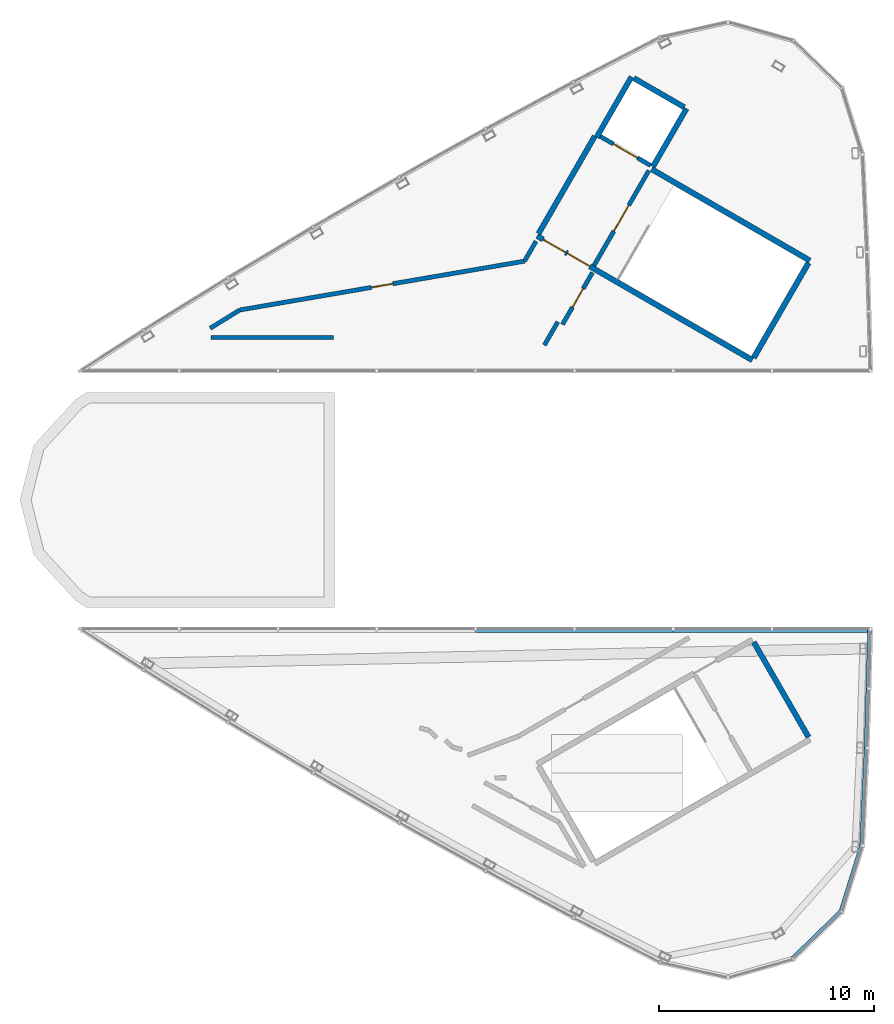
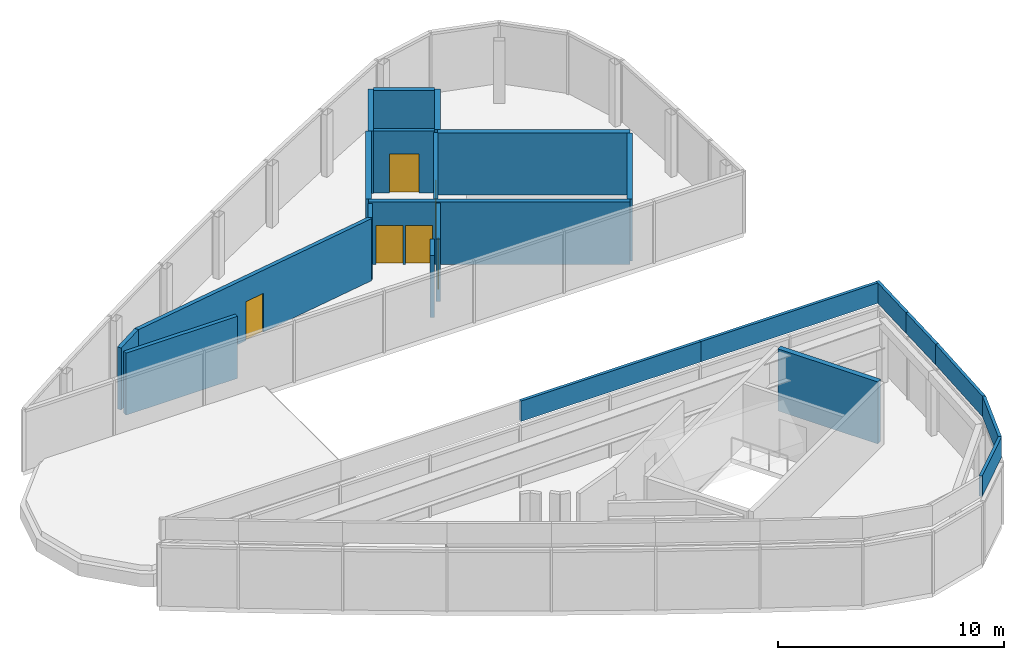
# One storey, part 6 of 7: 23 walls, 6 doors, 6 openings.
"""IFC4 building model written with IfcOpenShell, lengths in metres."""

import ifcopenshell
import ifcopenshell.guid

model = None  # the IFC model being written
_history = None  # IfcOwnerHistory: only IFC2X3 demands one
_inside = {}  # id of a spatial element -> (the spatial element, [elements in it])
_under = {}  # id of a project, library or spatial element -> (it, [spatial elements below it])
_declared = {}  # id of a project -> (the project, [libraries it declares])
_typed = {}  # id of a type object -> (the type object, [elements of that type])
_made_of = {}  # id of a material, layer set ... -> (it, [elements and type objects made of it])


def new_model(schema):
    """Start an empty IFC model of exactly this schema.

    Asked for "IFC4X3", IfcOpenShell would pick the latest addendum, in which some entities
    have other attributes; the version numbers below select the first issue.
    IFC2X3 requires an IfcOwnerHistory on every rooted entity: one is made here for all.
    """
    global model, _history
    if schema == "IFC4X3":
        model = ifcopenshell.file(schema_version=(4, 3, 0, 0))
    else:
        model = ifcopenshell.file(schema=schema)
    _inside.clear()
    _under.clear()
    _declared.clear()
    _typed.clear()
    _made_of.clear()
    _history = None
    if model.schema == "IFC2X3":
        org = make("IfcOrganization", Name="unknown")
        user = make(
            "IfcPersonAndOrganization",
            ThePerson=make("IfcPerson", FamilyName="unknown"),
            TheOrganization=org,
        )
        app = make(
            "IfcApplication",
            ApplicationDeveloper=org,
            Version="unknown",
            ApplicationFullName="unknown",
            ApplicationIdentifier="unknown",
        )
        _history = make(
            "IfcOwnerHistory",
            OwningUser=user,
            OwningApplication=app,
            ChangeAction="ADDED",
            CreationDate=0,
        )
    return model


def make(cls, **values):
    """One entity of the class cls with the attributes given. An attribute that is None is left unset."""
    return model.create_entity(
        cls, **{name: value for name, value in values.items() if value is not None}
    )


def rooted(cls, **values):
    """An entity with a GlobalId (a new one), such as an element, a storey or a relation."""
    return make(cls, GlobalId=ifcopenshell.guid.new(), OwnerHistory=_history, **values)


def si_unit(unit_type, name, prefix=None):
    """IfcSIUnit, for example si_unit("LENGTHUNIT", "METRE", prefix="MILLI")."""
    return make("IfcSIUnit", UnitType=unit_type, Prefix=prefix, Name=name)


def assignment(units):
    """IfcUnitAssignment: the units of a project."""
    return None if units is None else make("IfcUnitAssignment", Units=units)


def point(xyz):
    """IfcCartesianPoint."""
    return None if xyz is None else make("IfcCartesianPoint", Coordinates=xyz)


def direction(xyz):
    """IfcDirection."""
    return None if xyz is None else make("IfcDirection", DirectionRatios=xyz)


def frame(location, z_axis=None, x_axis=None):
    """IfcAxis2Placement3D, a coordinate frame: its origin and axes. An axis left out is left unset."""
    return make(
        "IfcAxis2Placement3D",
        Location=point(location),
        Axis=direction(z_axis),
        RefDirection=direction(x_axis),
    )


def frame_2d(location, x_axis=None):
    """IfcAxis2Placement2D, a coordinate frame in the plane: its origin and x axis."""
    return make(
        "IfcAxis2Placement2D", Location=point(location), RefDirection=direction(x_axis)
    )


def origin():
    """The frame at (0, 0, 0) with its axes left unset."""
    return frame((0.0, 0.0, 0.0))


def place(relative_to, where):
    """IfcLocalPlacement: puts the frame where relative to a parent placement (None: the world)."""
    return make(
        "IfcLocalPlacement", PlacementRelTo=relative_to, RelativePlacement=where
    )


def context(
    kind, dimensions, precision=None, world=None, true_north=None, identifier=None
):
    """IfcGeometricRepresentationContext, for example the 3D "Model" context."""
    return make(
        "IfcGeometricRepresentationContext",
        ContextIdentifier=identifier,
        ContextType=kind,
        CoordinateSpaceDimension=dimensions,
        Precision=precision,
        WorldCoordinateSystem=world,
        TrueNorth=true_north,
    )


def subcontext(parent, identifier, kind, view, scale=None):
    """IfcGeometricRepresentationSubContext, for example "Body" below "Model"."""
    return make(
        "IfcGeometricRepresentationSubContext",
        ContextIdentifier=identifier,
        ContextType=kind,
        ParentContext=parent,
        TargetScale=scale,
        TargetView=view,
    )


def project(units=None, contexts=None):
    """IfcProject with its units and contexts."""
    return rooted(
        "IfcProject",
        Name="project",
        RepresentationContexts=contexts,
        UnitsInContext=assignment(units),
    )


def spatial(cls, under=None, at=None, **own):
    """A site, building, storey or space (cls), placed at a placement, below another one or the project."""
    s = rooted(cls, ObjectPlacement=at, **own)
    if under is not None:
        _under.setdefault(under.id(), (under, []))[1].append(s)
    return s


def profile(cls, at=None, kind="AREA", **sizes):
    """A parametric profile (cls). Its sizes go by their IFC names, for example OverallWidth=200.0."""
    return make(cls, ProfileType=kind, Position=at, **sizes)


def rectangle(**sizes):
    """IfcRectangleProfileDef."""
    return profile("IfcRectangleProfileDef", **sizes)


def extrude(swept, where, along, depth):
    """IfcExtrudedAreaSolid: the profile swept, set in the frame where, extruded along a direction by depth."""
    return make(
        "IfcExtrudedAreaSolid",
        SweptArea=swept,
        Position=where,
        ExtrudedDirection=direction(along),
        Depth=depth,
    )


def shape(context_of_items, identifier, shape_type, items):
    """IfcShapeRepresentation: the items that make up one representation, for example the "Body"."""
    return make(
        "IfcShapeRepresentation",
        ContextOfItems=context_of_items,
        RepresentationIdentifier=identifier,
        RepresentationType=shape_type,
        Items=items,
    )


def material(Name=None, Category=None):
    """IfcMaterial."""
    return make("IfcMaterial", Name=Name, Category=Category)


def layer(
    of_material, thickness, ventilated=None, Name=None, Category=None, Priority=None
):
    """IfcMaterialLayer: one layer of a wall or slab, of a material (None: an air gap)."""
    return make(
        "IfcMaterialLayer",
        Material=of_material,
        LayerThickness=thickness,
        IsVentilated=ventilated,
        Name=Name,
        Category=Category,
        Priority=Priority,
    )


def layer_set(layers, Name=None):
    """IfcMaterialLayerSet."""
    return make("IfcMaterialLayerSet", MaterialLayers=layers, LayerSetName=Name)


def made_of(thing, what):
    """Note that an element or type object is made of a material, layer set ...; save() writes the relation."""
    if what is not None:
        _made_of.setdefault(what.id(), (what, []))[1].append(thing)
    return thing


def type_object(cls, material=None, **own):
    """A type object (cls), such as IfcWallType, which elements share."""
    return made_of(rooted(cls, **own), material)


def element(
    cls,
    number,
    at=None,
    inside=None,
    cuts=None,
    type_object=None,
    material=None,
    context=None,
    identifier="Body",
    shape_type=None,
    held_by="IfcProductDefinitionShape",
    body=None,
    shapes=None,
    **own,
):
    """One element of the class cls, such as IfcWall. Its Tag is "e" and its number.

    at: its placement. inside: the storey or other place that contains it. cuts: it is an
    opening in that element (IfcRelVoidsElement). A single representation is given by context,
    identifier, shape_type and body (its items); several are given by shapes. held_by: the class
    of the entity that holds the representations. save() writes the other relations.
    """
    e = rooted(cls, Tag="e%d" % number, ObjectPlacement=at, **own)
    if body is not None:
        shapes = [shape(context, identifier, shape_type, body)]
    if shapes is not None:
        e.Representation = make(held_by, Representations=shapes)
    if inside is not None:
        _inside.setdefault(inside.id(), (inside, []))[1].append(e)
    if cuts is not None:
        rooted(
            "IfcRelVoidsElement", RelatingBuildingElement=cuts, RelatedOpeningElement=e
        )
    if type_object is not None:
        _typed.setdefault(type_object.id(), (type_object, []))[1].append(e)
    return made_of(e, material)


def fill(opening, filler):
    """IfcRelFillsElement: the door or window that sits in an opening."""
    return rooted(
        "IfcRelFillsElement",
        RelatingOpeningElement=opening,
        RelatedBuildingElement=filler,
    )


def aggregate(whole, parts):
    """IfcRelAggregates: a whole, such as a stair, and the parts it consists of."""
    return rooted("IfcRelAggregates", RelatingObject=whole, RelatedObjects=parts)


def save(model, path):
    """Write the relations noted so far, then the file.

    IfcRelAggregates (storeys below a building ...), IfcRelContainedInSpatialStructure (elements
    in a storey), IfcRelDefinesByType, IfcRelAssociatesMaterial and IfcRelDeclares: one each for
    every whole, place, type object, material and project.
    """
    for whole, parts in _under.values():
        aggregate(whole, parts)
    for where, things in _inside.values():
        rooted(
            "IfcRelContainedInSpatialStructure",
            RelatedElements=things,
            RelatingStructure=where,
        )
    for kind, things in _typed.values():
        rooted("IfcRelDefinesByType", RelatedObjects=things, RelatingType=kind)
    for what, things in _made_of.values():
        rooted("IfcRelAssociatesMaterial", RelatedObjects=things, RelatingMaterial=what)
    for by, libraries in _declared.values():
        rooted("IfcRelDeclares", RelatingContext=by, RelatedDefinitions=libraries)
    model.write(path)


model = new_model("IFC4")

# Units and contexts
model_context = context("Model", 3, precision=1e-05, world=origin(), true_north=direction((0.0, 1.0)))
body_context = subcontext(model_context, "Body", "Model", "MODEL_VIEW")
ifc_project = project(units=[si_unit("LENGTHUNIT", "METRE"), si_unit("AREAUNIT", "SQUARE_METRE"), si_unit("VOLUMEUNIT", "CUBIC_METRE"), si_unit("PLANEANGLEUNIT", "RADIAN"), si_unit("MASSUNIT", "GRAM", prefix="KILO")], contexts=[model_context])

# Site, building, storey
site_placement = place(None, origin())
site = spatial("IfcSite", under=ifc_project, at=site_placement, CompositionType="ELEMENT")
building_placement = place(site_placement, origin())
building = spatial("IfcBuilding", under=site, at=building_placement, Name="Tamra Quay Hotel Tower", CompositionType="ELEMENT")
storey_placement = place(building_placement, frame((0.0, 0.0, 335.0)))
storey = spatial("IfcBuildingStorey", under=building, at=storey_placement, Name="Roof crown 5", CompositionType="ELEMENT", Elevation=335.0)

# Wall, opening, door
ifc_material_1 = material(Name="Concrete M70", Category="concrete")
ifc_layer_1 = layer(ifc_material_1, 0.199951171875)
ifc_layer_set_1 = layer_set([ifc_layer_1], Name="Concrete M70 core wall 200")
wall_type_1 = type_object("IfcWallType", Name="Concrete M70 core wall 200", PredefinedType="SHEAR", material=ifc_layer_set_1)
wall_1_placement = place(storey_placement, frame((3.056640625, 10.89453125, 0.0), z_axis=(0.0, 0.0, 1.0), x_axis=(0.499991534382, 0.866030291356, 0.0)))
wall_1 = element("IfcWall", 1, at=wall_1_placement, inside=storey, type_object=wall_type_1, Name="CW2", PredefinedType="SHEAR", context=body_context, shape_type="SweptSolid", body=[
    extrude(rectangle(XDim=5.10498046875, YDim=0.199951171875, at=frame_2d((2.552490234375, 0.0))), origin(), (0.0, 0.0, 1.0), 3.35009765625),
])
opening_1_placement = place(wall_1_placement, frame((1.84912109375, 0.0, 0.0)))
opening_1 = element("IfcOpeningElement", 2, at=opening_1_placement, cuts=wall_1, Name="Opening FD2", PredefinedType="OPENING", context=body_context, shape_type="SweptSolid", body=[
    extrude(rectangle(XDim=1.39990234375, YDim=2.10009765625, at=frame_2d((0.699951171875, 1.050048828125))), frame((0.0, 0.10986328125, 0.0), z_axis=(0.0, -1.0, 0.0), x_axis=(1.0, 0.0, 0.0)), (0.0, 0.0, 1.0), 0.219970703125),
])
ifc_material_2 = material(Name="Core door FD2 1400x2100 RH")
door_type_1 = type_object("IfcDoorType", Name="Core door FD2 1400x2100 RH", OperationType="NOTDEFINED", PredefinedType="DOOR", material=ifc_material_2)
door_1_placement = place(opening_1_placement, origin())
door_1 = element("IfcDoor", 3, at=door_1_placement, inside=storey, type_object=door_type_1, Name="FD2", OperationType="SINGLE_SWING_RIGHT", OverallHeight=2.10009765625, OverallWidth=1.39990234375, PredefinedType="DOOR", context=body_context, shape_type="SweptSolid", body=[
    extrude(rectangle(XDim=1.39990234375, YDim=2.10009765625, at=frame_2d((0.699951171875, 1.050048828125))), frame((0.0, 0.02490234375, 0.0), z_axis=(0.0, -1.0, 0.0), x_axis=(1.0, 0.0, 0.0)), (0.0, 0.0, 1.0), 0.050048828125),
])
fill(opening_1, door_1)

wall_2_placement = place(storey_placement, frame((5.68798828125, 15.5517578125, 0.0), z_axis=(0.0, 0.0, 1.0), x_axis=(-0.866007835605, 0.500030427744, 0.0)))
wall_2 = element("IfcWall", 4, at=wall_2_placement, inside=storey, type_object=wall_type_1, Name="CW2", PredefinedType="SHEAR", context=body_context, shape_type="SweptSolid", body=[
    extrude(rectangle(XDim=2.698974609375, YDim=0.199951171875, at=frame_2d((1.349609375, 0.0))), origin(), (0.0, 0.0, 1.0), 3.35009765625),
])
opening_2_placement = place(wall_2_placement, frame((0.699951171875, 0.0, 0.0)))
opening_2 = element("IfcOpeningElement", 5, at=opening_2_placement, cuts=wall_2, Name="Opening LD", PredefinedType="OPENING", context=body_context, shape_type="SweptSolid", body=[
    extrude(rectangle(XDim=1.300048828125, YDim=2.10009765625, at=frame_2d((0.64990234375, 1.050048828125))), frame((0.0, 0.10986328125, 0.0), z_axis=(0.0, -1.0, 0.0), x_axis=(1.0, 0.0, 0.0)), (0.0, 0.0, 1.0), 0.219970703125),
])
ifc_material_3 = material(Name="Landing door LD 1300 sliding to left")
door_type_2 = type_object("IfcDoorType", Name="Landing door LD 1300 sliding to left", OperationType="NOTDEFINED", PredefinedType="DOOR", material=ifc_material_3)
door_2_placement = place(opening_2_placement, origin())
door_2 = element("IfcDoor", 6, at=door_2_placement, inside=storey, type_object=door_type_2, Name="LD", OperationType="SLIDING_TO_LEFT", OverallHeight=2.10009765625, OverallWidth=1.300048828125, PredefinedType="DOOR", context=body_context, shape_type="SweptSolid", body=[
    extrude(rectangle(XDim=1.300048828125, YDim=2.10009765625, at=frame_2d((0.64990234375, 1.050048828125))), frame((0.0, 0.02490234375, 0.0), z_axis=(0.0, -1.0, 0.0), x_axis=(1.0, 0.0, 0.0)), (0.0, 0.0, 1.0), 0.050048828125),
])
fill(opening_2, door_2)

# Wall, openings, doors
ifc_layer_2 = layer(ifc_material_1, 0.25)
ifc_layer_set_2 = layer_set([ifc_layer_2], Name="Concrete M70 core wall 250")
wall_type_2 = type_object("IfcWallType", Name="Concrete M70 core wall 250", PredefinedType="SHEAR", material=ifc_layer_set_2)
wall_3_placement = place(storey_placement, frame((10.419921875, 6.497802734375, 0.0), z_axis=(0.0, 0.0, 1.0), x_axis=(-0.866021906294, 0.500006057782, 0.0)))
wall_3 = element("IfcWall", 7, at=wall_3_placement, inside=storey, type_object=wall_type_2, Name="CW1", PredefinedType="SHEAR", context=body_context, shape_type="SweptSolid", body=[
    extrude(rectangle(XDim=11.550048828125, YDim=0.25, at=frame_2d((5.77490234375, 0.0))), origin(), (0.0, 0.0, 1.0), 3.35009765625),
])
opening_3_placement = place(wall_3_placement, frame((10.02490234375, 0.0, 0.0)))
opening_3 = element("IfcOpeningElement", 8, at=opening_3_placement, cuts=wall_3, Name="Opening FD1", PredefinedType="OPENING", context=body_context, shape_type="SweptSolid", body=[
    extrude(rectangle(XDim=1.199951171875, YDim=2.10009765625, at=frame_2d((0.60009765625, 1.050048828125))), frame((0.0, 0.135009765625, 0.0), z_axis=(0.0, -1.0, 0.0), x_axis=(1.0, 0.0, 0.0)), (0.0, 0.0, 1.0), 0.27001953125),
])
opening_4_placement = place(wall_3_placement, frame((8.724853515625, 0.0, 0.0)))
opening_4 = element("IfcOpeningElement", 9, at=opening_4_placement, cuts=wall_3, Name="Opening FD1", PredefinedType="OPENING", context=body_context, shape_type="SweptSolid", body=[
    extrude(rectangle(XDim=1.199951171875, YDim=2.10009765625, at=frame_2d((0.60009765625, 1.050048828125))), frame((0.0, 0.135009765625, 0.0), z_axis=(0.0, -1.0, 0.0), x_axis=(1.0, 0.0, 0.0)), (0.0, 0.0, 1.0), 0.27001953125),
])
ifc_material_4 = material(Name="Core door FD1 1200x2100 LH")
door_type_3 = type_object("IfcDoorType", Name="Core door FD1 1200x2100 LH", OperationType="NOTDEFINED", PredefinedType="DOOR", material=ifc_material_4)
door_3_placement = place(opening_3_placement, origin())
door_3 = element("IfcDoor", 10, at=door_3_placement, inside=storey, type_object=door_type_3, Name="FD1", OperationType="SINGLE_SWING_LEFT", OverallHeight=2.10009765625, OverallWidth=1.199951171875, PredefinedType="DOOR", context=body_context, shape_type="SweptSolid", body=[
    extrude(rectangle(XDim=1.199951171875, YDim=2.10009765625, at=frame_2d((0.60009765625, 1.050048828125))), frame((0.0, 0.02490234375, 0.0), z_axis=(0.0, -1.0, 0.0), x_axis=(1.0, 0.0, 0.0)), (0.0, 0.0, 1.0), 0.050048828125),
])
fill(opening_3, door_3)
ifc_material_5 = material(Name="Core door FD1 1200x2100 RH")
door_type_4 = type_object("IfcDoorType", Name="Core door FD1 1200x2100 RH", OperationType="NOTDEFINED", PredefinedType="DOOR", material=ifc_material_5)
door_4_placement = place(opening_4_placement, origin())
door_4 = element("IfcDoor", 11, at=door_4_placement, inside=storey, type_object=door_type_4, Name="FD1", OperationType="SINGLE_SWING_RIGHT", OverallHeight=2.10009765625, OverallWidth=1.199951171875, PredefinedType="DOOR", context=body_context, shape_type="SweptSolid", body=[
    extrude(rectangle(XDim=1.199951171875, YDim=2.10009765625, at=frame_2d((0.60009765625, 1.050048828125))), frame((0.0, 0.02490234375, 0.0), z_axis=(0.0, -1.0, 0.0), x_axis=(1.0, 0.0, 0.0)), (0.0, 0.0, 1.0), 0.050048828125),
])
fill(opening_4, door_4)

# Walls
wall_4_placement = place(storey_placement, frame((5.733642578125, 15.381103515625, 0.0), z_axis=(0.0, 0.0, 1.0), x_axis=(0.866028703517, -0.499994284652, 0.0)))
element("IfcWall", 12, at=wall_4_placement, inside=storey, type_object=wall_type_2, Name="CW1", PredefinedType="SHEAR", context=body_context, shape_type="SweptSolid", body=[
    extrude(rectangle(XDim=8.5, YDim=0.25, at=frame_2d((4.25, 0.0))), origin(), (0.0, 0.0, 1.0), 3.35009765625),
])
wall_5_placement = place(storey_placement, frame((0.47998046875, 12.38134765625, 0.0), z_axis=(0.0, 0.0, 1.0), x_axis=(0.49999885962, 0.866026062182, 0.0)))
element("IfcWall", 13, at=wall_5_placement, inside=storey, type_object=wall_type_2, Name="CW1", PredefinedType="SHEAR", context=body_context, shape_type="SweptSolid", body=[
    extrude(rectangle(XDim=5.224609375, YDim=0.25, at=frame_2d((2.6123046875, 0.0))), origin(), (0.0, 0.0, 1.0), 3.35009765625),
])
wall_6_placement = place(storey_placement, frame((13.0322265625, 11.0224609375, 0.0), z_axis=(0.0, 0.0, 1.0), x_axis=(-0.499995990076, -0.866027718903, 0.0)))
element("IfcWall", 14, at=wall_6_placement, inside=storey, type_object=wall_type_2, Name="CW1", PredefinedType="SHEAR", context=body_context, shape_type="SweptSolid", body=[
    extrude(rectangle(XDim=5.09912109375, YDim=0.25, at=frame_2d((2.549560546875, 0.0))), origin(), (0.0, 0.0, 1.0), 3.35009765625),
])
wall_7_placement = place(storey_placement, frame((7.358642578125, 18.19580078125, 0.0), z_axis=(0.0, 0.0, 1.0), x_axis=(-0.4999794672, -0.866037258078, 0.0)))
element("IfcWall", 15, at=wall_7_placement, inside=storey, type_object=wall_type_2, Name="CW1", PredefinedType="SHEAR", context=body_context, shape_type="SweptSolid", body=[
    extrude(rectangle(XDim=3.124755859375, YDim=0.25, at=frame_2d((1.5625, 0.0))), origin(), (0.0, 0.0, 1.0), 3.35009765625),
])
wall_8_placement = place(storey_placement, frame((3.178955078125, 16.856201171875, 0.0), z_axis=(0.0, 0.0, 1.0), x_axis=(0.500017246033, 0.866015446554, 0.0)))
element("IfcWall", 16, at=wall_8_placement, inside=storey, type_object=wall_type_2, Name="CW1", PredefinedType="SHEAR", context=body_context, shape_type="SweptSolid", body=[
    extrude(rectangle(XDim=3.25, YDim=0.25, at=frame_2d((1.625, 0.0))), origin(), (0.0, 0.0, 1.0), 3.35009765625),
])
wall_9_placement = place(storey_placement, frame((4.91259765625, 19.60791015625, 0.0), z_axis=(0.0, 0.0, 1.0), x_axis=(0.866030449233, -0.499991260925, 0.0)))
element("IfcWall", 17, at=wall_9_placement, inside=storey, type_object=wall_type_2, Name="CW1", PredefinedType="SHEAR", context=body_context, shape_type="SweptSolid", body=[
    extrude(rectangle(XDim=2.69921875, YDim=0.25, at=frame_2d((1.349609375, 0.0))), origin(), (0.0, 0.0, 1.0), 3.35009765625),
])
wall_10_placement = place(storey_placement, frame((10.482666015625, -6.6064453125, 0.0), z_axis=(0.0, 0.0, 1.0), x_axis=(0.499995990076, -0.866027718903, 0.0)))
element("IfcWall", 18, at=wall_10_placement, inside=storey, type_object=wall_type_2, Name="CW1", PredefinedType="SHEAR", context=body_context, shape_type="SweptSolid", body=[
    extrude(rectangle(XDim=5.09912109375, YDim=0.25, at=frame_2d((2.549560546875, 0.0))), origin(), (0.0, 0.0, 1.0), 3.35009765625),
])
ifc_material_6 = material(Name="Reinforced concrete M60 with render", Category="concrete")
ifc_layer_3 = layer(ifc_material_6, 0.14990234375)
ifc_layer_set_3 = layer_set([ifc_layer_3], Name="PARAPET WALL 150")
wall_type_3 = type_object("IfcWallType", Name="PARAPET WALL 150", PredefinedType="PARAPET", material=ifc_layer_set_3)
wall_11_placement = place(storey_placement, frame((15.772216796875, -8.76220703125, 3.60009765625), z_axis=(0.0, 0.0, 1.0), x_axis=(-0.02869335672, -0.999588260876, 0.0)))
element("IfcWall", 19, at=wall_11_placement, inside=storey, type_object=wall_type_3, Name="PW0", PredefinedType="PARAPET", context=body_context, shape_type="SweptSolid", body=[
    extrude(rectangle(XDim=2.765380859375, YDim=0.14990234375, at=frame_2d((1.3828125, 0.0))), origin(), (0.0, 0.0, 1.0), 1.099853515625),
])
wall_12_placement = place(storey_placement, frame((15.851318359375, -5.997802734375, 3.60009765625), z_axis=(0.0, 0.0, 1.0), x_axis=(-0.028602617602, -0.999590861436, 0.0)))
element("IfcWall", 20, at=wall_12_placement, inside=storey, type_object=wall_type_3, Name="PW0", PredefinedType="PARAPET", context=body_context, shape_type="SweptSolid", body=[
    extrude(rectangle(XDim=2.765625, YDim=0.14990234375, at=frame_2d((1.3828125, 0.0))), origin(), (0.0, 0.0, 1.0), 1.099853515625),
])
wall_13_placement = place(storey_placement, frame((6.740966796875, -6.074951171875, 3.60009765625), z_axis=(0.0, 0.0, 1.0), x_axis=(1.0, 0.0, 0.0)))
element("IfcWall", 21, at=wall_13_placement, inside=storey, type_object=wall_type_3, Name="PW0", PredefinedType="PARAPET", context=body_context, shape_type="SweptSolid", body=[
    extrude(rectangle(XDim=9.185302734375, YDim=0.14990234375, at=frame_2d((4.5927734375, 0.0))), origin(), (0.0, 0.0, 1.0), 1.099853515625),
])
wall_14_placement = place(storey_placement, frame((-2.444580078125, -6.074951171875, 3.60009765625), z_axis=(0.0, 0.0, 1.0), x_axis=(1.0, 0.0, 0.0)))
element("IfcWall", 22, at=wall_14_placement, inside=storey, type_object=wall_type_3, Name="PW0", PredefinedType="PARAPET", context=body_context, shape_type="SweptSolid", body=[
    extrude(rectangle(XDim=9.185546875, YDim=0.14990234375, at=frame_2d((4.5927734375, 0.0))), origin(), (0.0, 0.0, 1.0), 1.099853515625),
])
wall_15_placement = place(storey_placement, frame((14.538330078125, -19.095458984375, 3.60009765625), z_axis=(0.0, 0.0, 1.0), x_axis=(-0.716742640145, -0.697337786011, 0.0)))
element("IfcWall", 23, at=wall_15_placement, inside=storey, type_object=wall_type_3, Name="PW0", PredefinedType="PARAPET", context=body_context, shape_type="SweptSolid", body=[
    extrude(rectangle(XDim=3.157958984375, YDim=0.14990234375, at=frame_2d((1.5791015625, 0.0))), origin(), (0.0, 0.0, 1.0), 1.099853515625),
])
wall_16_placement = place(storey_placement, frame((15.483642578125, -16.04150390625, 3.60009765625), z_axis=(0.0, 0.0, 1.0), x_axis=(-0.298408305293, -0.954438307767, 0.0)))
element("IfcWall", 24, at=wall_16_placement, inside=storey, type_object=wall_type_3, Name="PW0", PredefinedType="PARAPET", context=body_context, shape_type="SweptSolid", body=[
    extrude(rectangle(XDim=3.232421875, YDim=0.14990234375, at=frame_2d((1.6162109375, 0.0))), origin(), (0.0, 0.0, 1.0), 1.099853515625),
])
wall_17_placement = place(storey_placement, frame((15.69287109375, -11.52490234375, 3.60009765625), z_axis=(0.0, 0.0, 1.0), x_axis=(-0.046780831378, -0.99890517759, 0.0)))
element("IfcWall", 25, at=wall_17_placement, inside=storey, type_object=wall_type_3, Name="PW0", PredefinedType="PARAPET", context=body_context, shape_type="SweptSolid", body=[
    extrude(rectangle(XDim=4.540283203125, YDim=0.14990234375, at=frame_2d((2.27001953125, 0.0))), origin(), (0.0, 0.0, 1.0), 1.099853515625),
])
ifc_material_7 = material(Name="Partition corridor wall")
ifc_layer_4 = layer(ifc_material_7, 0.199951171875)
ifc_layer_set_4 = layer_set([ifc_layer_4], Name="Partition corridor wall")
wall_type_4 = type_object("IfcWallType", Name="Partition corridor wall", PredefinedType="PARTITIONING", material=ifc_layer_set_4)
wall_18_placement = place(storey_placement, frame((-14.781982421875, 7.98095703125, 0.0), z_axis=(0.0, 0.0, 1.0), x_axis=(0.850065227576, 0.526677423918, 0.0)))
element("IfcWall", 26, at=wall_18_placement, inside=storey, type_object=wall_type_4, Name="W-C", PredefinedType="PARTITIONING", context=body_context, shape_type="SweptSolid", body=[
    extrude(rectangle(XDim=1.614013671875, YDim=0.199951171875, at=frame_2d((0.80712890625, 0.0))), origin(), (0.0, 0.0, 1.0), 3.35009765625),
])
wall_19_placement = place(storey_placement, frame((-14.7451171875, 7.549072265625, 0.0), z_axis=(0.0, 0.0, 1.0), x_axis=(1.0, 0.0, 0.0)))
element("IfcWall", 27, at=wall_19_placement, inside=storey, type_object=wall_type_4, Name="W-C", PredefinedType="PARTITIONING", context=body_context, shape_type="SweptSolid", body=[
    extrude(rectangle(XDim=5.696044921875, YDim=0.199951171875, at=frame_2d((2.84814453125, 0.0))), origin(), (0.0, 0.0, 1.0), 3.35009765625),
])

# Wall, opening, door
wall_20_placement = place(storey_placement, frame((-13.409912109375, 8.8310546875, 0.0), z_axis=(0.0, 0.0, 1.0), x_axis=(0.985601663061, 0.169083889746, 0.0)))
wall_20 = element("IfcWall", 28, at=wall_20_placement, inside=storey, type_object=wall_type_4, Name="W-C", PredefinedType="PARTITIONING", context=body_context, shape_type="SweptSolid", body=[
    extrude(rectangle(XDim=13.43115234375, YDim=0.199951171875, at=frame_2d((6.715576171875, 0.0))), origin(), (0.0, 0.0, 1.0), 3.35009765625),
])
opening_5_placement = place(wall_20_placement, frame((6.214599609375, 0.0, 0.0)))
opening_5 = element("IfcOpeningElement", 29, at=opening_5_placement, cuts=wall_20, Name="Opening Roof crown 5-D001", PredefinedType="OPENING", context=body_context, shape_type="SweptSolid", body=[
    extrude(rectangle(XDim=1.0, YDim=2.10009765625, at=frame_2d((0.5, 1.050048828125))), frame((0.0, 0.10986328125, 0.0), z_axis=(0.0, -1.0, 0.0), x_axis=(1.0, 0.0, 0.0)), (0.0, 0.0, 1.0), 0.219970703125),
])
ifc_material_8 = material(Name="Door service room 1000x2100")
door_type_5 = type_object("IfcDoorType", Name="Door service room 1000x2100", OperationType="NOTDEFINED", PredefinedType="DOOR", material=ifc_material_8)
door_5_placement = place(opening_5_placement, origin())
door_5 = element("IfcDoor", 30, at=door_5_placement, inside=storey, type_object=door_type_5, Name="Roof crown 5-D001", OperationType="SINGLE_SWING_LEFT", OverallHeight=2.10009765625, OverallWidth=1.0, PredefinedType="DOOR", context=body_context, shape_type="SweptSolid", body=[
    extrude(rectangle(XDim=1.0, YDim=2.10009765625, at=frame_2d((0.5, 1.050048828125))), frame((0.0, 0.02490234375, 0.0), z_axis=(0.0, -1.0, 0.0), x_axis=(1.0, 0.0, 0.0)), (0.0, 0.0, 1.0), 0.050048828125),
])
fill(opening_5, door_5)

# Walls
wall_21_placement = place(storey_placement, frame((-0.172119140625, 11.10205078125, 0.0), z_axis=(0.0, 0.0, 1.0), x_axis=(0.500071963047, 0.865983851913, 0.0)))
element("IfcWall", 31, at=wall_21_placement, inside=storey, type_object=wall_type_4, Name="W-C", PredefinedType="PARTITIONING", context=body_context, shape_type="SweptSolid", body=[
    extrude(rectangle(XDim=1.068115234375, YDim=0.199951171875, at=frame_2d((0.5341796875, 0.0))), origin(), (0.0, 0.0, 1.0), 3.35009765625),
])
wall_22_placement = place(storey_placement, frame((0.751953125, 7.199951171875, 0.0), z_axis=(0.0, 0.0, 1.0), x_axis=(0.499835134068, 0.866120568253, 0.0)))
element("IfcWall", 32, at=wall_22_placement, inside=storey, type_object=wall_type_4, Name="W-C", PredefinedType="PARTITIONING", context=body_context, shape_type="SweptSolid", body=[
    extrude(rectangle(XDim=1.25048828125, YDim=0.199951171875, at=frame_2d((0.625244140625, 0.0))), origin(), (0.0, 0.0, 1.0), 3.35009765625),
])

# Wall, opening, door
wall_23_placement = place(storey_placement, frame((1.593017578125, 8.158935546875, 0.0), z_axis=(0.0, 0.0, 1.0), x_axis=(0.500035555316, 0.86600487494, 0.0)))
wall_23 = element("IfcWall", 33, at=wall_23_placement, inside=storey, type_object=wall_type_4, Name="W-C", PredefinedType="PARTITIONING", context=body_context, shape_type="SweptSolid", body=[
    extrude(rectangle(XDim=2.789794921875, YDim=0.199951171875, at=frame_2d((1.39501953125, 0.0))), origin(), (0.0, 0.0, 1.0), 3.35009765625),
])
opening_6_placement = place(wall_23_placement, frame((0.9248046875, 0.0, 0.0)))
opening_6 = element("IfcOpeningElement", 34, at=opening_6_placement, cuts=wall_23, Name="Opening Roof crown 5-D002", PredefinedType="OPENING", context=body_context, shape_type="SweptSolid", body=[
    extrude(rectangle(XDim=1.0, YDim=2.10009765625, at=frame_2d((0.5, 1.050048828125))), frame((0.0, 0.10986328125, 0.0), z_axis=(0.0, -1.0, 0.0), x_axis=(1.0, 0.0, 0.0)), (0.0, 0.0, 1.0), 0.219970703125),
])
door_6_placement = place(opening_6_placement, frame((1.0, 0.0, 0.0), z_axis=(0.0, 0.0, 1.0), x_axis=(-1.0, 0.0, 0.0)))
door_6 = element("IfcDoor", 35, at=door_6_placement, inside=storey, type_object=door_type_5, Name="Roof crown 5-D002", OperationType="SINGLE_SWING_LEFT", OverallHeight=2.10009765625, OverallWidth=1.0, PredefinedType="DOOR", context=body_context, shape_type="SweptSolid", body=[
    extrude(rectangle(XDim=1.0, YDim=2.10009765625, at=frame_2d((0.5, 1.050048828125))), frame((0.0, 0.02490234375, 0.0), z_axis=(0.0, -1.0, 0.0), x_axis=(1.0, 0.0, 0.0)), (0.0, 0.0, 1.0), 0.050048828125),
])
fill(opening_6, door_6)

save(model, "model.ifc")
